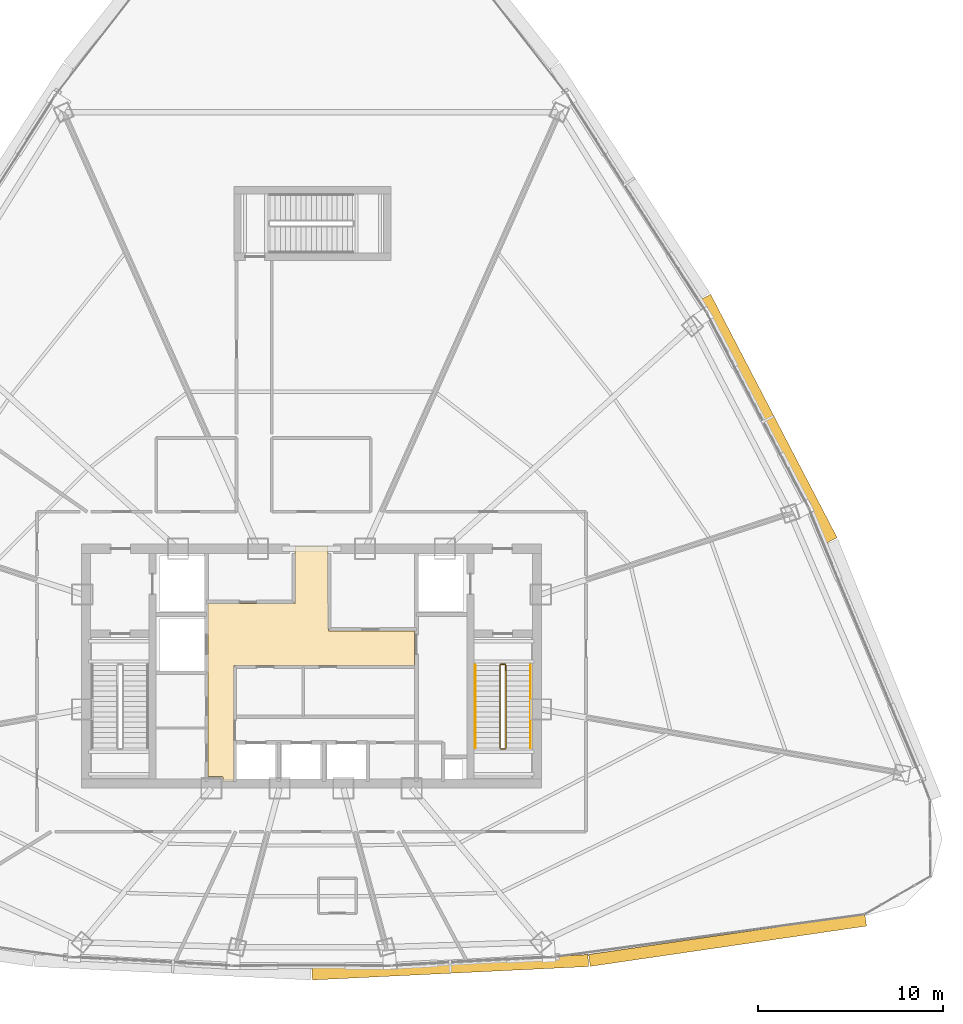
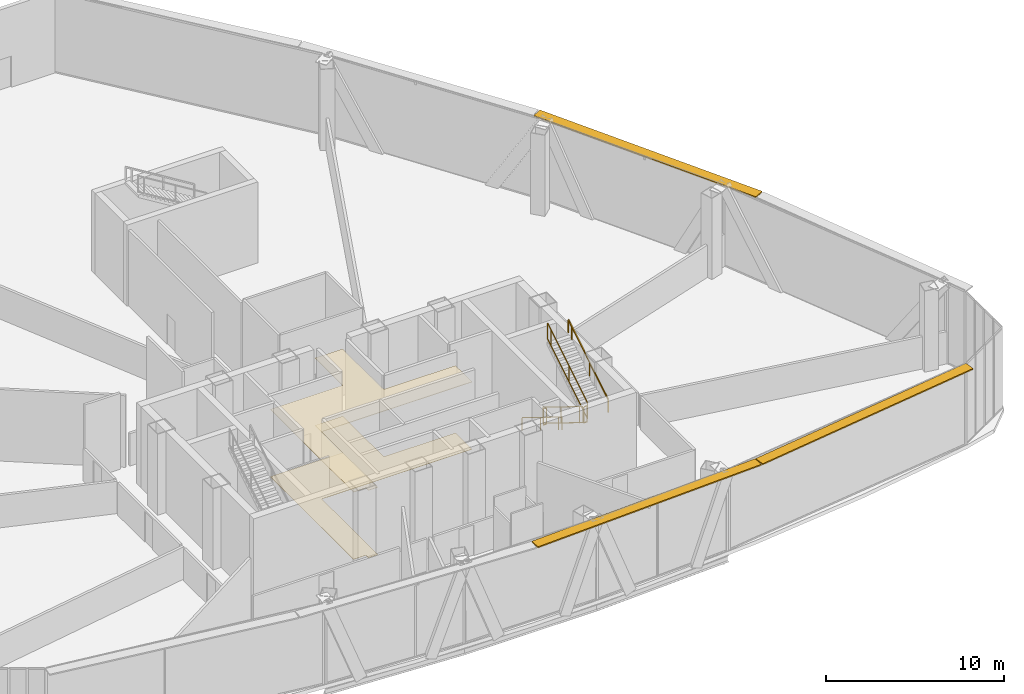
# One storey, part 36 of 38: 6 railings, 3 shading devices, 2 coverings.
"""IFC4 building model written with IfcOpenShell, lengths in metres."""

import ifcopenshell
import ifcopenshell.guid

model = None  # the IFC model being written
_history = None  # IfcOwnerHistory: only IFC2X3 demands one
_inside = {}  # id of a spatial element -> (the spatial element, [elements in it])
_under = {}  # id of a project, library or spatial element -> (it, [spatial elements below it])
_declared = {}  # id of a project -> (the project, [libraries it declares])
_typed = {}  # id of a type object -> (the type object, [elements of that type])
_made_of = {}  # id of a material, layer set ... -> (it, [elements and type objects made of it])


def new_model(schema):
    """Start an empty IFC model of exactly this schema.

    Asked for "IFC4X3", IfcOpenShell would pick the latest addendum, in which some entities
    have other attributes; the version numbers below select the first issue.
    IFC2X3 requires an IfcOwnerHistory on every rooted entity: one is made here for all.
    """
    global model, _history
    if schema == "IFC4X3":
        model = ifcopenshell.file(schema_version=(4, 3, 0, 0))
    else:
        model = ifcopenshell.file(schema=schema)
    _inside.clear()
    _under.clear()
    _declared.clear()
    _typed.clear()
    _made_of.clear()
    _history = None
    if model.schema == "IFC2X3":
        org = make("IfcOrganization", Name="unknown")
        user = make(
            "IfcPersonAndOrganization",
            ThePerson=make("IfcPerson", FamilyName="unknown"),
            TheOrganization=org,
        )
        app = make(
            "IfcApplication",
            ApplicationDeveloper=org,
            Version="unknown",
            ApplicationFullName="unknown",
            ApplicationIdentifier="unknown",
        )
        _history = make(
            "IfcOwnerHistory",
            OwningUser=user,
            OwningApplication=app,
            ChangeAction="ADDED",
            CreationDate=0,
        )
    return model


def make(cls, **values):
    """One entity of the class cls with the attributes given. An attribute that is None is left unset."""
    return model.create_entity(
        cls, **{name: value for name, value in values.items() if value is not None}
    )


def rooted(cls, **values):
    """An entity with a GlobalId (a new one), such as an element, a storey or a relation."""
    return make(cls, GlobalId=ifcopenshell.guid.new(), OwnerHistory=_history, **values)


def si_unit(unit_type, name, prefix=None):
    """IfcSIUnit, for example si_unit("LENGTHUNIT", "METRE", prefix="MILLI")."""
    return make("IfcSIUnit", UnitType=unit_type, Prefix=prefix, Name=name)


def assignment(units):
    """IfcUnitAssignment: the units of a project."""
    return None if units is None else make("IfcUnitAssignment", Units=units)


def point(xyz):
    """IfcCartesianPoint."""
    return None if xyz is None else make("IfcCartesianPoint", Coordinates=xyz)


def direction(xyz):
    """IfcDirection."""
    return None if xyz is None else make("IfcDirection", DirectionRatios=xyz)


def frame(location, z_axis=None, x_axis=None):
    """IfcAxis2Placement3D, a coordinate frame: its origin and axes. An axis left out is left unset."""
    return make(
        "IfcAxis2Placement3D",
        Location=point(location),
        Axis=direction(z_axis),
        RefDirection=direction(x_axis),
    )


def frame_2d(location, x_axis=None):
    """IfcAxis2Placement2D, a coordinate frame in the plane: its origin and x axis."""
    return make(
        "IfcAxis2Placement2D", Location=point(location), RefDirection=direction(x_axis)
    )


def origin():
    """The frame at (0, 0, 0) with its axes left unset."""
    return frame((0.0, 0.0, 0.0))


def origin_2d():
    """The frame at (0, 0) in the plane with its x axis left unset."""
    return frame_2d((0.0, 0.0))


def place(relative_to, where):
    """IfcLocalPlacement: puts the frame where relative to a parent placement (None: the world)."""
    return make(
        "IfcLocalPlacement", PlacementRelTo=relative_to, RelativePlacement=where
    )


def context(
    kind, dimensions, precision=None, world=None, true_north=None, identifier=None
):
    """IfcGeometricRepresentationContext, for example the 3D "Model" context."""
    return make(
        "IfcGeometricRepresentationContext",
        ContextIdentifier=identifier,
        ContextType=kind,
        CoordinateSpaceDimension=dimensions,
        Precision=precision,
        WorldCoordinateSystem=world,
        TrueNorth=true_north,
    )


def subcontext(parent, identifier, kind, view, scale=None):
    """IfcGeometricRepresentationSubContext, for example "Body" below "Model"."""
    return make(
        "IfcGeometricRepresentationSubContext",
        ContextIdentifier=identifier,
        ContextType=kind,
        ParentContext=parent,
        TargetScale=scale,
        TargetView=view,
    )


def project(units=None, contexts=None):
    """IfcProject with its units and contexts."""
    return rooted(
        "IfcProject",
        Name="project",
        RepresentationContexts=contexts,
        UnitsInContext=assignment(units),
    )


def spatial(cls, under=None, at=None, **own):
    """A site, building, storey or space (cls), placed at a placement, below another one or the project."""
    s = rooted(cls, ObjectPlacement=at, **own)
    if under is not None:
        _under.setdefault(under.id(), (under, []))[1].append(s)
    return s


def polyline(points):
    """IfcPolyline through the points."""
    return make("IfcPolyline", Points=[point(p) for p in points])


def profile(cls, at=None, kind="AREA", **sizes):
    """A parametric profile (cls). Its sizes go by their IFC names, for example OverallWidth=200.0."""
    return make(cls, ProfileType=kind, Position=at, **sizes)


def rectangle(**sizes):
    """IfcRectangleProfileDef."""
    return profile("IfcRectangleProfileDef", **sizes)


def outline(outer, holes=None, kind="AREA"):
    """IfcArbitraryClosedProfileDef: a profile drawn as a closed curve; with holes, ...WithVoids."""
    if holes is None:
        return make("IfcArbitraryClosedProfileDef", ProfileType=kind, OuterCurve=outer)
    return make(
        "IfcArbitraryProfileDefWithVoids",
        ProfileType=kind,
        OuterCurve=outer,
        InnerCurves=holes,
    )


def extrude(swept, where, along, depth):
    """IfcExtrudedAreaSolid: the profile swept, set in the frame where, extruded along a direction by depth."""
    return make(
        "IfcExtrudedAreaSolid",
        SweptArea=swept,
        Position=where,
        ExtrudedDirection=direction(along),
        Depth=depth,
    )


def shape(context_of_items, identifier, shape_type, items):
    """IfcShapeRepresentation: the items that make up one representation, for example the "Body"."""
    return make(
        "IfcShapeRepresentation",
        ContextOfItems=context_of_items,
        RepresentationIdentifier=identifier,
        RepresentationType=shape_type,
        Items=items,
    )


def source(mapping_origin, context_of_items, identifier, shape_type, items):
    """IfcRepresentationMap: a shape defined once, which mapped items show again and again."""
    return make(
        "IfcRepresentationMap",
        MappingOrigin=mapping_origin,
        MappedRepresentation=shape(context_of_items, identifier, shape_type, items),
    )


def transform(
    local_origin,
    x_axis=None,
    y_axis=None,
    z_axis=None,
    scale=None,
    scale2=None,
    scale3=None,
    uniform=True,
):
    """IfcCartesianTransformationOperator3D, or its non-uniform kind. x_axis, y_axis, z_axis: its Axis1, 2, 3."""
    if uniform:
        return make(
            "IfcCartesianTransformationOperator3D",
            Axis1=direction(x_axis),
            Axis2=direction(y_axis),
            LocalOrigin=point(local_origin),
            Scale=scale,
            Axis3=direction(z_axis),
        )
    return make(
        "IfcCartesianTransformationOperator3DnonUniform",
        Axis1=direction(x_axis),
        Axis2=direction(y_axis),
        LocalOrigin=point(local_origin),
        Scale=scale,
        Axis3=direction(z_axis),
        Scale2=scale2,
        Scale3=scale3,
    )


def mapped(mapping_source, mapping_target):
    """IfcMappedItem: shows the shape of a source again, moved by a transform."""
    return make(
        "IfcMappedItem", MappingSource=mapping_source, MappingTarget=mapping_target
    )


def material(Name=None, Category=None):
    """IfcMaterial."""
    return make("IfcMaterial", Name=Name, Category=Category)


def layer(
    of_material, thickness, ventilated=None, Name=None, Category=None, Priority=None
):
    """IfcMaterialLayer: one layer of a wall or slab, of a material (None: an air gap)."""
    return make(
        "IfcMaterialLayer",
        Material=of_material,
        LayerThickness=thickness,
        IsVentilated=ventilated,
        Name=Name,
        Category=Category,
        Priority=Priority,
    )


def layer_set(layers, Name=None):
    """IfcMaterialLayerSet."""
    return make("IfcMaterialLayerSet", MaterialLayers=layers, LayerSetName=Name)


def made_of(thing, what):
    """Note that an element or type object is made of a material, layer set ...; save() writes the relation."""
    if what is not None:
        _made_of.setdefault(what.id(), (what, []))[1].append(thing)
    return thing


def type_object(cls, material=None, **own):
    """A type object (cls), such as IfcWallType, which elements share."""
    return made_of(rooted(cls, **own), material)


def element(
    cls,
    number,
    at=None,
    inside=None,
    cuts=None,
    type_object=None,
    material=None,
    context=None,
    identifier="Body",
    shape_type=None,
    held_by="IfcProductDefinitionShape",
    body=None,
    shapes=None,
    **own,
):
    """One element of the class cls, such as IfcWall. Its Tag is "e" and its number.

    at: its placement. inside: the storey or other place that contains it. cuts: it is an
    opening in that element (IfcRelVoidsElement). A single representation is given by context,
    identifier, shape_type and body (its items); several are given by shapes. held_by: the class
    of the entity that holds the representations. save() writes the other relations.
    """
    e = rooted(cls, Tag="e%d" % number, ObjectPlacement=at, **own)
    if body is not None:
        shapes = [shape(context, identifier, shape_type, body)]
    if shapes is not None:
        e.Representation = make(held_by, Representations=shapes)
    if inside is not None:
        _inside.setdefault(inside.id(), (inside, []))[1].append(e)
    if cuts is not None:
        rooted(
            "IfcRelVoidsElement", RelatingBuildingElement=cuts, RelatedOpeningElement=e
        )
    if type_object is not None:
        _typed.setdefault(type_object.id(), (type_object, []))[1].append(e)
    return made_of(e, material)


def aggregate(whole, parts):
    """IfcRelAggregates: a whole, such as a stair, and the parts it consists of."""
    return rooted("IfcRelAggregates", RelatingObject=whole, RelatedObjects=parts)


def save(model, path):
    """Write the relations noted so far, then the file.

    IfcRelAggregates (storeys below a building ...), IfcRelContainedInSpatialStructure (elements
    in a storey), IfcRelDefinesByType, IfcRelAssociatesMaterial and IfcRelDeclares: one each for
    every whole, place, type object, material and project.
    """
    for whole, parts in _under.values():
        aggregate(whole, parts)
    for where, things in _inside.values():
        rooted(
            "IfcRelContainedInSpatialStructure",
            RelatedElements=things,
            RelatingStructure=where,
        )
    for kind, things in _typed.values():
        rooted("IfcRelDefinesByType", RelatedObjects=things, RelatingType=kind)
    for what, things in _made_of.values():
        rooted("IfcRelAssociatesMaterial", RelatedObjects=things, RelatingMaterial=what)
    for by, libraries in _declared.values():
        rooted("IfcRelDeclares", RelatingContext=by, RelatedDefinitions=libraries)
    model.write(path)


model = new_model("IFC4")

# Units and contexts
model_context = context("Model", 3, precision=1e-05, world=origin(), true_north=direction((0.0, 1.0)))
body_context = subcontext(model_context, "Body", "Model", "MODEL_VIEW")
ifc_project = project(units=[si_unit("LENGTHUNIT", "METRE"), si_unit("AREAUNIT", "SQUARE_METRE"), si_unit("VOLUMEUNIT", "CUBIC_METRE"), si_unit("PLANEANGLEUNIT", "RADIAN"), si_unit("MASSUNIT", "GRAM", prefix="KILO"), si_unit("THERMODYNAMICTEMPERATUREUNIT", "KELVIN"), si_unit("POWERUNIT", "WATT")], contexts=[model_context])

# Site, building, storey
site_placement = place(None, origin())
site = spatial("IfcSite", under=ifc_project, at=site_placement, CompositionType="ELEMENT")
building_placement = place(site_placement, origin())
building = spatial("IfcBuilding", under=site, at=building_placement, Name="Yunzhuo Pagoda Commons", CompositionType="ELEMENT")
storey_placement = place(building_placement, frame((0.0, 0.0, 266.909912109375)))
storey = spatial("IfcBuildingStorey", under=building, at=storey_placement, Name="L67", CompositionType="ELEMENT", Elevation=266.909912109375)

# Coverings
ifc_material_1 = material(Name="Perforated gypsum acoustic ceiling tile")
ifc_layer_1 = layer(ifc_material_1, 0.030029296875)
ifc_layer_set_1 = layer_set([ifc_layer_1], Name="Perforated gypsum acoustic ceiling tile")
covering_type_1 = type_object("IfcCoveringType", Name="COV-CL2 Ceiling 30", PredefinedType="CEILING", material=ifc_layer_set_1)
covering_1_placement = place(storey_placement, frame((0.0, 0.0, 4.6201171875)))
element("IfcCovering", 1, at=covering_1_placement, inside=storey, type_object=covering_type_1, Name="L67 lift lobby acoustic ceiling", PredefinedType="CEILING", context=body_context, shape_type="SweptSolid", body=[
    extrude(outline(polyline([(42.39990234375, 37.25), (47.10009765625, 37.25), (47.10009765625, 40.35009765625), (48.89990234375, 40.35009765625), (48.89990234375, 37.25), (48.919921875, 37.25), (48.919921875, 35.75), (53.580078125, 35.75), (53.580078125, 33.89990234375), (43.820068359375, 33.89990234375), (43.820068359375, 27.60009765625), (43.207763671875, 27.60009765625), (43.207763671875, 27.85009765625), (43.201904296875, 27.864013671875), (43.187744140625, 27.8701171875), (42.39990234375, 27.8701171875), (42.39990234375, 33.89990234375), (42.39990234375, 37.25)])), origin(), (0.0, 0.0, 1.0), 0.030029296875),
])
ifc_material_2 = material(Name="Resilient acoustic studio flooring")
ifc_layer_2 = layer(ifc_material_2, 0.01806640625)
ifc_layer_set_2 = layer_set([ifc_layer_2], Name="Resilient acoustic studio flooring")
covering_type_2 = type_object("IfcCoveringType", Name="COV-FL3 Flooring 18", PredefinedType="FLOORING", material=ifc_layer_set_2)
covering_2_placement = place(storey_placement, origin())
element("IfcCovering", 2, at=covering_2_placement, inside=storey, type_object=covering_type_2, Name="L67 lift lobby flooring", PredefinedType="FLOORING", context=body_context, shape_type="SweptSolid", body=[
    extrude(outline(polyline([(42.39990234375, 37.25), (47.10009765625, 37.25), (47.10009765625, 40.35009765625), (48.89990234375, 40.35009765625), (48.89990234375, 37.25), (48.919921875, 37.25), (48.919921875, 35.75), (53.580078125, 35.75), (53.580078125, 33.89990234375), (43.820068359375, 33.89990234375), (43.820068359375, 27.60009765625), (43.207763671875, 27.60009765625), (43.207763671875, 27.85009765625), (43.201904296875, 27.864013671875), (43.187744140625, 27.8701171875), (42.39990234375, 27.8701171875), (42.39990234375, 33.89990234375), (42.39990234375, 37.25)])), origin(), (0.0, 0.0, 1.0), 0.01806640625),
])

# Railings
ifc_material_3 = material(Name="Anodized aluminium 6063-T6", Category="aluminium")
railing_type_1 = type_object("IfcRailingType", Name="GR-ST2 Stair Well Guardrail 1160", PredefinedType="GUARDRAIL", material=ifc_material_3)
railing_1_placement = place(storey_placement, frame((58.199951171875, 33.89990234375, 0.172119140625)))
element("IfcRailing", 3, at=railing_1_placement, inside=storey, type_object=railing_type_1, Name="L67 ST2 stair guard 1", PredefinedType="GUARDRAIL", context=body_context, shape_type="SweptSolid", body=[
    extrude(rectangle(XDim=0.048095703125, YDim=0.048095703125, at=origin_2d()), frame((0.0, 0.0, 1.1259765625), z_axis=(0.0, -0.851996104429, 0.523548123899), x_axis=(1.0, 0.0, 0.0)), (0.0, 0.0, 1.0), 5.25830078125),
    extrude(rectangle(XDim=0.048095703125, YDim=0.048095703125, at=origin_2d()), frame((0.0, 0.0, 0.02392578125), z_axis=(0.0, -0.851996104429, 0.523548123899), x_axis=(1.0, 0.0, 0.0)), (0.0, 0.0, 1.0), 5.25830078125),
    extrude(rectangle(XDim=0.0419921875, YDim=0.0419921875, at=origin_2d()), origin(), (0.0, 0.0, 1.0), 1.101806640625),
    extrude(rectangle(XDim=0.0419921875, YDim=0.0419921875, at=origin_2d()), frame((0.0, -2.044677734375, 1.256591796875)), (0.0, 0.0, 1.0), 1.101806640625),
    extrude(rectangle(XDim=0.0419921875, YDim=0.0419921875, at=origin_2d()), frame((0.0, -4.089599609375, 2.512939453125)), (0.0, 0.0, 1.0), 1.101806640625),
    extrude(rectangle(XDim=0.0419921875, YDim=0.0419921875, at=origin_2d()), frame((0.0, -4.47998046875, 2.7529296875)), (0.0, 0.0, 1.0), 1.101806640625),
])
railing_2_placement = place(storey_placement, frame((58.25, 29.3701171875, 2.925048828125)))
element("IfcRailing", 4, at=railing_2_placement, inside=storey, type_object=railing_type_1, Name="L67 ST2 stair guard 2", PredefinedType="GUARDRAIL", context=body_context, shape_type="SweptSolid", body=[
    extrude(rectangle(XDim=0.048095703125, YDim=0.048095703125, at=origin_2d()), frame((0.0, 0.0, 1.1259765625), z_axis=(1.0, 0.0, 0.0), x_axis=(0.0, 1.0, 0.0)), (0.0, 0.0, 1.0), 0.199951171875),
    extrude(rectangle(XDim=0.048095703125, YDim=0.048095703125, at=origin_2d()), frame((0.0, 0.0, 0.02392578125), z_axis=(1.0, 0.0, 0.0), x_axis=(0.0, 1.0, 0.0)), (0.0, 0.0, 1.0), 0.199951171875),
    extrude(rectangle(XDim=0.0419921875, YDim=0.0419921875, at=origin_2d()), origin(), (0.0, 0.0, 1.0), 1.101806640625),
    extrude(rectangle(XDim=0.0419921875, YDim=0.0419921875, at=origin_2d()), frame((0.199951171875, 0.0, 0.0)), (0.0, 0.0, 1.0), 1.101806640625),
])
railing_3_placement = place(storey_placement, frame((58.5, 29.419921875, 3.09716796875)))
element("IfcRailing", 5, at=railing_3_placement, inside=storey, type_object=railing_type_1, Name="L67 ST2 stair guard 3", PredefinedType="GUARDRAIL", context=body_context, shape_type="SweptSolid", body=[
    extrude(rectangle(XDim=0.048095703125, YDim=0.048095703125, at=origin_2d()), frame((0.0, 0.0, 1.1259765625), z_axis=(0.0, 0.851996104429, 0.523548123899), x_axis=(-1.0, 0.0, 0.0)), (0.0, 0.0, 1.0), 5.25830078125),
    extrude(rectangle(XDim=0.048095703125, YDim=0.048095703125, at=origin_2d()), frame((0.0, 0.0, 0.02392578125), z_axis=(0.0, 0.851996104429, 0.523548123899), x_axis=(-1.0, 0.0, 0.0)), (0.0, 0.0, 1.0), 5.25830078125),
    extrude(rectangle(XDim=0.0419921875, YDim=0.0419921875, at=origin_2d()), origin(), (0.0, 0.0, 1.0), 1.101806640625),
    extrude(rectangle(XDim=0.0419921875, YDim=0.0419921875, at=origin_2d()), frame((0.0, 2.044677734375, 1.256591796875)), (0.0, 0.0, 1.0), 1.101806640625),
    extrude(rectangle(XDim=0.0419921875, YDim=0.0419921875, at=origin_2d()), frame((0.0, 4.089599609375, 2.512939453125)), (0.0, 0.0, 1.0), 1.101806640625),
    extrude(rectangle(XDim=0.0419921875, YDim=0.0419921875, at=origin_2d()), frame((0.0, 4.47998046875, 2.7529296875)), (0.0, 0.0, 1.0), 1.101806640625),
])
railing_4_placement = place(storey_placement, frame((58.25, 33.949951171875, 0.0)))
element("IfcRailing", 6, at=railing_4_placement, inside=storey, type_object=railing_type_1, Name="L67 ST2 stair guard 4", PredefinedType="GUARDRAIL", context=body_context, shape_type="SweptSolid", body=[
    extrude(rectangle(XDim=0.048095703125, YDim=0.048095703125, at=origin_2d()), frame((0.0, 0.0, 1.1259765625), z_axis=(1.0, 0.0, 0.0), x_axis=(0.0, 1.0, 0.0)), (0.0, 0.0, 1.0), 0.199951171875),
    extrude(rectangle(XDim=0.048095703125, YDim=0.048095703125, at=origin_2d()), frame((0.0, 0.0, 0.02392578125), z_axis=(1.0, 0.0, 0.0), x_axis=(0.0, 1.0, 0.0)), (0.0, 0.0, 1.0), 0.199951171875),
    extrude(rectangle(XDim=0.0419921875, YDim=0.0419921875, at=origin_2d()), origin(), (0.0, 0.0, 1.0), 1.101806640625),
    extrude(rectangle(XDim=0.0419921875, YDim=0.0419921875, at=origin_2d()), frame((0.199951171875, 0.0, 0.0)), (0.0, 0.0, 1.0), 1.101806640625),
])
railing_type_2 = type_object("IfcRailingType", Name="HR-ST2 Stair Handrail 900", PredefinedType="HANDRAIL", material=ifc_material_3)
railing_5_placement = place(storey_placement, frame((56.85009765625, 33.89990234375, 0.172119140625)))
element("IfcRailing", 7, at=railing_5_placement, inside=storey, type_object=railing_type_2, Name="L67 ST2 stair handrail 1", PredefinedType="HANDRAIL", context=body_context, shape_type="SweptSolid", body=[
    extrude(rectangle(XDim=0.048095703125, YDim=0.048095703125, at=origin_2d()), frame((0.0, 0.0, 0.8759765625), z_axis=(0.0, -0.851996104429, 0.523548123899), x_axis=(1.0, 0.0, 0.0)), (0.0, 0.0, 1.0), 5.25830078125),
    extrude(rectangle(XDim=0.0419921875, YDim=0.0419921875, at=origin_2d()), origin(), (0.0, 0.0, 1.0), 0.851806640625),
    extrude(rectangle(XDim=0.0419921875, YDim=0.0419921875, at=origin_2d()), frame((0.0, -2.044677734375, 1.256591796875)), (0.0, 0.0, 1.0), 0.851806640625),
    extrude(rectangle(XDim=0.0419921875, YDim=0.0419921875, at=origin_2d()), frame((0.0, -4.089599609375, 2.512939453125)), (0.0, 0.0, 1.0), 0.851806640625),
    extrude(rectangle(XDim=0.0419921875, YDim=0.0419921875, at=origin_2d()), frame((0.0, -4.47998046875, 2.7529296875)), (0.0, 0.0, 1.0), 0.851806640625),
])
railing_6_placement = place(storey_placement, frame((59.85009765625, 29.419921875, 3.09716796875)))
element("IfcRailing", 8, at=railing_6_placement, inside=storey, type_object=railing_type_2, Name="L67 ST2 stair handrail 2", PredefinedType="HANDRAIL", context=body_context, shape_type="SweptSolid", body=[
    extrude(rectangle(XDim=0.048095703125, YDim=0.048095703125, at=origin_2d()), frame((0.0, 0.0, 0.8759765625), z_axis=(0.0, 0.851996104429, 0.523548123899), x_axis=(-1.0, 0.0, 0.0)), (0.0, 0.0, 1.0), 5.25830078125),
    extrude(rectangle(XDim=0.0419921875, YDim=0.0419921875, at=origin_2d()), origin(), (0.0, 0.0, 1.0), 0.851806640625),
    extrude(rectangle(XDim=0.0419921875, YDim=0.0419921875, at=origin_2d()), frame((0.0, 2.044677734375, 1.256591796875)), (0.0, 0.0, 1.0), 0.851806640625),
    extrude(rectangle(XDim=0.0419921875, YDim=0.0419921875, at=origin_2d()), frame((0.0, 4.089599609375, 2.512939453125)), (0.0, 0.0, 1.0), 0.851806640625),
    extrude(rectangle(XDim=0.0419921875, YDim=0.0419921875, at=origin_2d()), frame((0.0, 4.47998046875, 2.7529296875)), (0.0, 0.0, 1.0), 0.851806640625),
])

# Shading devices
ifc_layer_3 = layer(ifc_material_3, 0.080078125)
ifc_layer_set_3 = layer_set([ifc_layer_3], Name="Anodized aluminium 6063-T6")
shading_device_type = type_object("IfcShadingDeviceType", Name="SH-SUN1 Pagoda Horizontal Sunshade Eave 650", PredefinedType="USERDEFINED", material=ifc_layer_set_3)
shared_shape_1 = source(origin(), body_context, "Body", "SweptSolid", [
    extrude(rectangle(XDim=15.102294921875, YDim=0.64990234375, at=origin_2d()), origin(), (0.0, 0.0, 1.0), 0.080078125),
])
shading_device_1_placement = place(storey_placement, frame((70.510009765625, 19.023193359375, 5.489990234375), z_axis=(0.0, 0.0, 1.0), x_axis=(0.989510666697, 0.144459823108, 0.0)))
element("IfcShadingDevice", 9, at=shading_device_1_placement, inside=storey, type_object=shading_device_type, Name="L67 horizontal pagoda sunshade eave F1.4", ObjectType="SUNSHADE", PredefinedType="USERDEFINED", context=body_context, shape_type="MappedRepresentation", body=[
    mapped(shared_shape_1, transform((0.0, 0.0, 0.0), scale=1.0)),
])
shared_shape_2 = source(origin(), body_context, "Body", "SweptSolid", [
    extrude(rectangle(XDim=14.961181640625, YDim=0.64990234375, at=origin_2d()), origin(), (0.0, 0.0, 1.0), 0.080078125),
])
shading_device_2_placement = place(storey_placement, frame((55.50341796875, 17.5625, 5.489990234375), z_axis=(0.0, 0.0, 1.0), x_axis=(0.998818043775, 0.04860571396, 0.0)))
element("IfcShadingDevice", 10, at=shading_device_2_placement, inside=storey, type_object=shading_device_type, Name="L67 horizontal pagoda sunshade eave F1.3", ObjectType="SUNSHADE", PredefinedType="USERDEFINED", context=body_context, shape_type="MappedRepresentation", body=[
    mapped(shared_shape_2, transform((0.0, 0.0, 0.0), scale=1.0)),
])
shared_shape_3 = source(origin(), body_context, "Body", "SweptSolid", [
    extrude(rectangle(XDim=14.838623046875, YDim=0.64990234375, at=origin_2d()), origin(), (0.0, 0.0, 1.0), 0.080078125),
])
shading_device_3_placement = place(storey_placement, frame((72.7255859375, 47.236572265625, 5.489990234375), z_axis=(0.0, 0.0, 1.0), x_axis=(-0.461206683033, 0.88729273384, 0.0)))
element("IfcShadingDevice", 11, at=shading_device_3_placement, inside=storey, type_object=shading_device_type, Name="L67 horizontal pagoda sunshade eave F2.2", ObjectType="SUNSHADE", PredefinedType="USERDEFINED", context=body_context, shape_type="MappedRepresentation", body=[
    mapped(shared_shape_3, transform((0.0, 0.0, 0.0), scale=1.0)),
])

save(model, "model.ifc")
